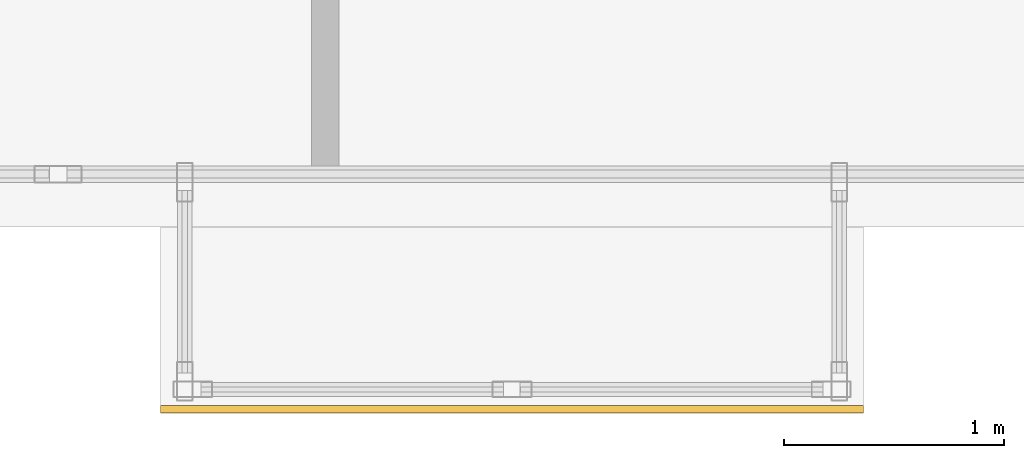
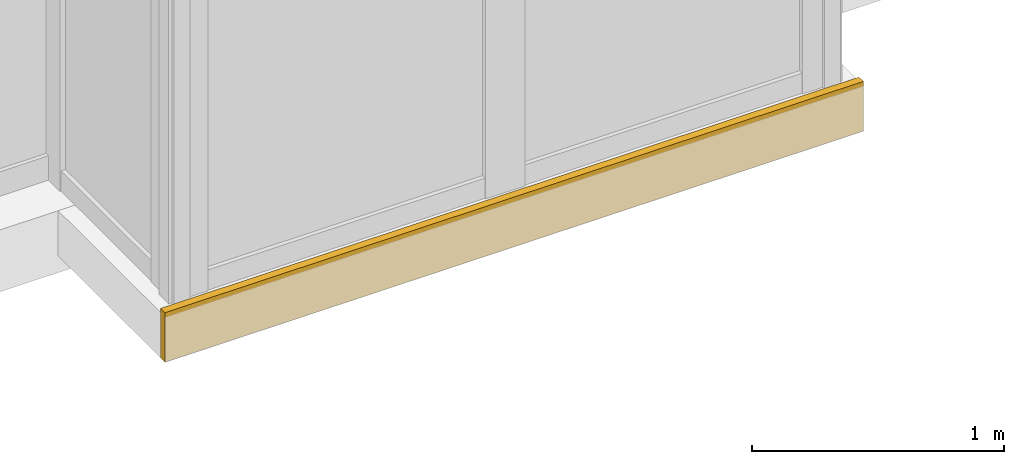
# One storey, part 24 of 25: 1 covering.
"""IFC4 building model written with IfcOpenShell, lengths in metres."""

import ifcopenshell
import ifcopenshell.guid

model = None  # the IFC model being written
_history = None  # IfcOwnerHistory: only IFC2X3 demands one
_inside = {}  # id of a spatial element -> (the spatial element, [elements in it])
_under = {}  # id of a project, library or spatial element -> (it, [spatial elements below it])
_declared = {}  # id of a project -> (the project, [libraries it declares])
_typed = {}  # id of a type object -> (the type object, [elements of that type])
_made_of = {}  # id of a material, layer set ... -> (it, [elements and type objects made of it])


def new_model(schema):
    """Start an empty IFC model of exactly this schema.

    Asked for "IFC4X3", IfcOpenShell would pick the latest addendum, in which some entities
    have other attributes; the version numbers below select the first issue.
    IFC2X3 requires an IfcOwnerHistory on every rooted entity: one is made here for all.
    """
    global model, _history
    if schema == "IFC4X3":
        model = ifcopenshell.file(schema_version=(4, 3, 0, 0))
    else:
        model = ifcopenshell.file(schema=schema)
    _inside.clear()
    _under.clear()
    _declared.clear()
    _typed.clear()
    _made_of.clear()
    _history = None
    if model.schema == "IFC2X3":
        org = make("IfcOrganization", Name="unknown")
        user = make(
            "IfcPersonAndOrganization",
            ThePerson=make("IfcPerson", FamilyName="unknown"),
            TheOrganization=org,
        )
        app = make(
            "IfcApplication",
            ApplicationDeveloper=org,
            Version="unknown",
            ApplicationFullName="unknown",
            ApplicationIdentifier="unknown",
        )
        _history = make(
            "IfcOwnerHistory",
            OwningUser=user,
            OwningApplication=app,
            ChangeAction="ADDED",
            CreationDate=0,
        )
    return model


def make(cls, **values):
    """One entity of the class cls with the attributes given. An attribute that is None is left unset."""
    return model.create_entity(
        cls, **{name: value for name, value in values.items() if value is not None}
    )


def rooted(cls, **values):
    """An entity with a GlobalId (a new one), such as an element, a storey or a relation."""
    return make(cls, GlobalId=ifcopenshell.guid.new(), OwnerHistory=_history, **values)


def si_unit(unit_type, name, prefix=None):
    """IfcSIUnit, for example si_unit("LENGTHUNIT", "METRE", prefix="MILLI")."""
    return make("IfcSIUnit", UnitType=unit_type, Prefix=prefix, Name=name)


def assignment(units):
    """IfcUnitAssignment: the units of a project."""
    return None if units is None else make("IfcUnitAssignment", Units=units)


def point(xyz):
    """IfcCartesianPoint."""
    return None if xyz is None else make("IfcCartesianPoint", Coordinates=xyz)


def direction(xyz):
    """IfcDirection."""
    return None if xyz is None else make("IfcDirection", DirectionRatios=xyz)


def frame(location, z_axis=None, x_axis=None):
    """IfcAxis2Placement3D, a coordinate frame: its origin and axes. An axis left out is left unset."""
    return make(
        "IfcAxis2Placement3D",
        Location=point(location),
        Axis=direction(z_axis),
        RefDirection=direction(x_axis),
    )


def frame_2d(location, x_axis=None):
    """IfcAxis2Placement2D, a coordinate frame in the plane: its origin and x axis."""
    return make(
        "IfcAxis2Placement2D", Location=point(location), RefDirection=direction(x_axis)
    )


def origin():
    """The frame at (0, 0, 0) with its axes left unset."""
    return frame((0.0, 0.0, 0.0))


def origin_2d():
    """The frame at (0, 0) in the plane with its x axis left unset."""
    return frame_2d((0.0, 0.0))


def place(relative_to, where):
    """IfcLocalPlacement: puts the frame where relative to a parent placement (None: the world)."""
    return make(
        "IfcLocalPlacement", PlacementRelTo=relative_to, RelativePlacement=where
    )


def context(
    kind, dimensions, precision=None, world=None, true_north=None, identifier=None
):
    """IfcGeometricRepresentationContext, for example the 3D "Model" context."""
    return make(
        "IfcGeometricRepresentationContext",
        ContextIdentifier=identifier,
        ContextType=kind,
        CoordinateSpaceDimension=dimensions,
        Precision=precision,
        WorldCoordinateSystem=world,
        TrueNorth=true_north,
    )


def subcontext(parent, identifier, kind, view, scale=None):
    """IfcGeometricRepresentationSubContext, for example "Body" below "Model"."""
    return make(
        "IfcGeometricRepresentationSubContext",
        ContextIdentifier=identifier,
        ContextType=kind,
        ParentContext=parent,
        TargetScale=scale,
        TargetView=view,
    )


def project(units=None, contexts=None):
    """IfcProject with its units and contexts."""
    return rooted(
        "IfcProject",
        Name="project",
        RepresentationContexts=contexts,
        UnitsInContext=assignment(units),
    )


def spatial(cls, under=None, at=None, **own):
    """A site, building, storey or space (cls), placed at a placement, below another one or the project."""
    s = rooted(cls, ObjectPlacement=at, **own)
    if under is not None:
        _under.setdefault(under.id(), (under, []))[1].append(s)
    return s


def profile(cls, at=None, kind="AREA", **sizes):
    """A parametric profile (cls). Its sizes go by their IFC names, for example OverallWidth=200.0."""
    return make(cls, ProfileType=kind, Position=at, **sizes)


def rectangle(**sizes):
    """IfcRectangleProfileDef."""
    return profile("IfcRectangleProfileDef", **sizes)


def extrude(swept, where, along, depth):
    """IfcExtrudedAreaSolid: the profile swept, set in the frame where, extruded along a direction by depth."""
    return make(
        "IfcExtrudedAreaSolid",
        SweptArea=swept,
        Position=where,
        ExtrudedDirection=direction(along),
        Depth=depth,
    )


def shape(context_of_items, identifier, shape_type, items):
    """IfcShapeRepresentation: the items that make up one representation, for example the "Body"."""
    return make(
        "IfcShapeRepresentation",
        ContextOfItems=context_of_items,
        RepresentationIdentifier=identifier,
        RepresentationType=shape_type,
        Items=items,
    )


def material(Name=None, Category=None):
    """IfcMaterial."""
    return make("IfcMaterial", Name=Name, Category=Category)


def layer(
    of_material, thickness, ventilated=None, Name=None, Category=None, Priority=None
):
    """IfcMaterialLayer: one layer of a wall or slab, of a material (None: an air gap)."""
    return make(
        "IfcMaterialLayer",
        Material=of_material,
        LayerThickness=thickness,
        IsVentilated=ventilated,
        Name=Name,
        Category=Category,
        Priority=Priority,
    )


def layer_set(layers, Name=None):
    """IfcMaterialLayerSet."""
    return make("IfcMaterialLayerSet", MaterialLayers=layers, LayerSetName=Name)


def made_of(thing, what):
    """Note that an element or type object is made of a material, layer set ...; save() writes the relation."""
    if what is not None:
        _made_of.setdefault(what.id(), (what, []))[1].append(thing)
    return thing


def type_object(cls, material=None, **own):
    """A type object (cls), such as IfcWallType, which elements share."""
    return made_of(rooted(cls, **own), material)


def element(
    cls,
    number,
    at=None,
    inside=None,
    cuts=None,
    type_object=None,
    material=None,
    context=None,
    identifier="Body",
    shape_type=None,
    held_by="IfcProductDefinitionShape",
    body=None,
    shapes=None,
    **own,
):
    """One element of the class cls, such as IfcWall. Its Tag is "e" and its number.

    at: its placement. inside: the storey or other place that contains it. cuts: it is an
    opening in that element (IfcRelVoidsElement). A single representation is given by context,
    identifier, shape_type and body (its items); several are given by shapes. held_by: the class
    of the entity that holds the representations. save() writes the other relations.
    """
    e = rooted(cls, Tag="e%d" % number, ObjectPlacement=at, **own)
    if body is not None:
        shapes = [shape(context, identifier, shape_type, body)]
    if shapes is not None:
        e.Representation = make(held_by, Representations=shapes)
    if inside is not None:
        _inside.setdefault(inside.id(), (inside, []))[1].append(e)
    if cuts is not None:
        rooted(
            "IfcRelVoidsElement", RelatingBuildingElement=cuts, RelatedOpeningElement=e
        )
    if type_object is not None:
        _typed.setdefault(type_object.id(), (type_object, []))[1].append(e)
    return made_of(e, material)


def aggregate(whole, parts):
    """IfcRelAggregates: a whole, such as a stair, and the parts it consists of."""
    return rooted("IfcRelAggregates", RelatingObject=whole, RelatedObjects=parts)


def save(model, path):
    """Write the relations noted so far, then the file.

    IfcRelAggregates (storeys below a building ...), IfcRelContainedInSpatialStructure (elements
    in a storey), IfcRelDefinesByType, IfcRelAssociatesMaterial and IfcRelDeclares: one each for
    every whole, place, type object, material and project.
    """
    for whole, parts in _under.values():
        aggregate(whole, parts)
    for where, things in _inside.values():
        rooted(
            "IfcRelContainedInSpatialStructure",
            RelatedElements=things,
            RelatingStructure=where,
        )
    for kind, things in _typed.values():
        rooted("IfcRelDefinesByType", RelatedObjects=things, RelatingType=kind)
    for what, things in _made_of.values():
        rooted("IfcRelAssociatesMaterial", RelatedObjects=things, RelatingMaterial=what)
    for by, libraries in _declared.values():
        rooted("IfcRelDeclares", RelatingContext=by, RelatedDefinitions=libraries)
    model.write(path)


model = new_model("IFC4")

# Units and contexts
model_context = context("Model", 3, precision=1e-05, world=origin(), true_north=direction((0.0, 1.0)))
body_context = subcontext(model_context, "Body", "Model", "MODEL_VIEW")
ifc_project = project(units=[si_unit("LENGTHUNIT", "METRE"), si_unit("AREAUNIT", "SQUARE_METRE"), si_unit("VOLUMEUNIT", "CUBIC_METRE"), si_unit("PLANEANGLEUNIT", "RADIAN"), si_unit("MASSUNIT", "GRAM", prefix="KILO")], contexts=[model_context])

# Site, building, storey
site_placement = place(None, origin())
site = spatial("IfcSite", under=ifc_project, at=site_placement, CompositionType="ELEMENT")
building_placement = place(site_placement, origin())
building = spatial("IfcBuilding", under=site, at=building_placement, Name="Kolvaren Waterfront Exchange", CompositionType="ELEMENT")
storey_placement = place(building_placement, frame((0.0, 0.0, 223.5)))
storey = spatial("IfcBuildingStorey", under=building, at=storey_placement, Name="L57", CompositionType="ELEMENT", Elevation=223.5)

# Covering
ifc_material = material(Name="Anodised bronze fascia aluminium", Category="aluminium")
ifc_layer = layer(ifc_material, 0.034912109375, Name="Anodised bronze fascia aluminium")
ifc_layer_set = layer_set([ifc_layer], Name="Anodised bronze fascia aluminium")
covering_type = type_object("IfcCoveringType", Name="ARC-CLAD-BRONZE-35", PredefinedType="CLADDING", material=ifc_layer_set)
covering_placement = place(storey_placement, frame((36.300048828125, 2.77001953125, -0.22021484375), z_axis=(0.0, 0.0, 1.0), x_axis=(1.0, 0.0, 0.0)))
element("IfcCovering", 1, at=covering_placement, inside=storey, type_object=covering_type, Name="L57 ribbed anodised bronze bay-box fascia", PredefinedType="CLADDING", context=body_context, shape_type="SweptSolid", body=[
    extrude(rectangle(XDim=3.199951171875, YDim=0.034912109375, at=origin_2d()), origin(), (0.0, 0.0, 1.0), 0.239990234375),
])

save(model, "model.ifc")
